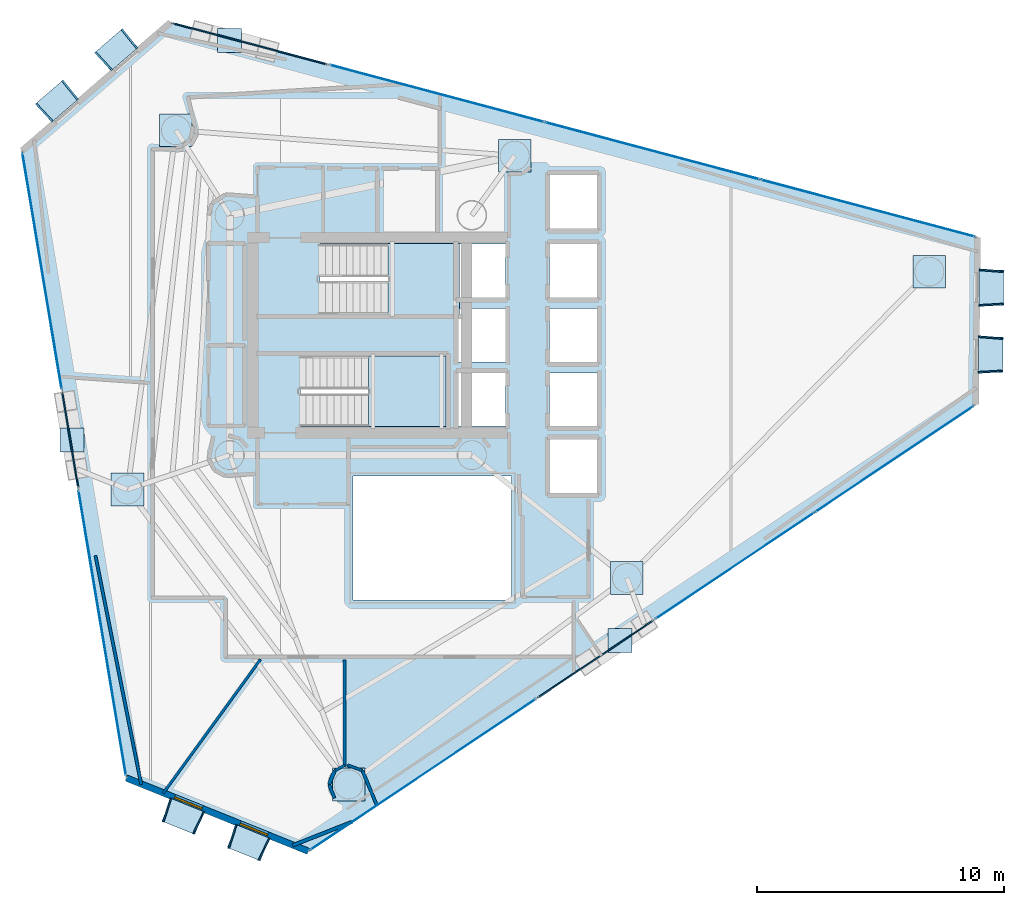
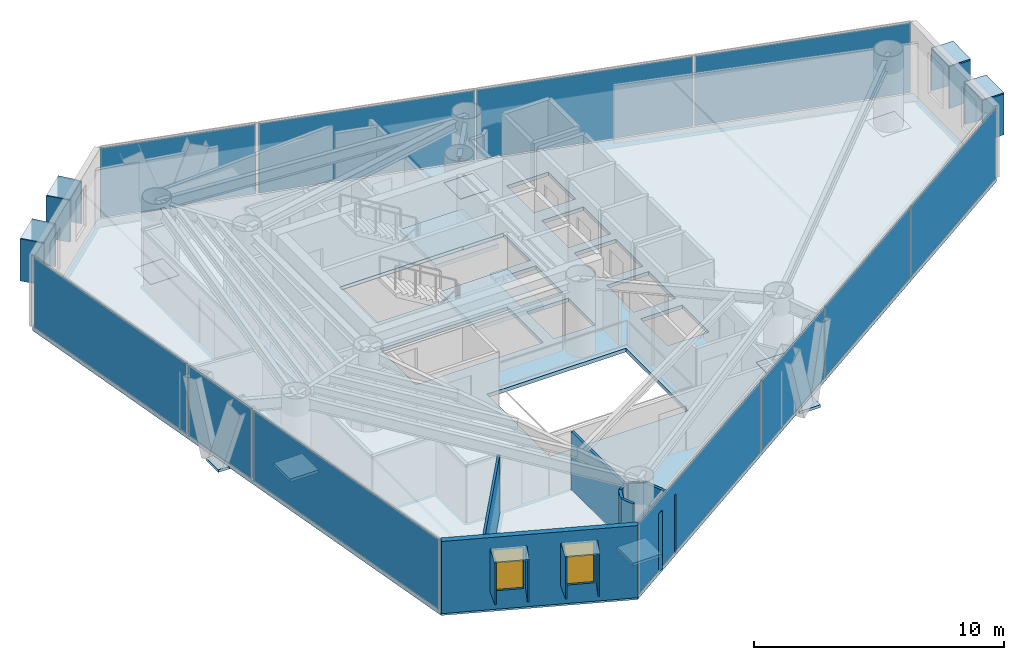
# One storey, part 15 of 21: 38 plates, 10 walls, 3 slabs, 2 windows, 2 openings, 10 elements without a shape of their own.
"""IFC4 building model written with IfcOpenShell, lengths in metres."""

from ifc_helpers import new_model, si_unit, direction, frame, frame_2d, origin, origin_2d, place, context, subcontext, project, spatial, polyline, rectangle, outline, extrude, material, layer, layer_set, type_object, element, fill, aggregate, save


model = new_model("IFC4")

# Units and contexts
model_context = context("Model", 3, precision=1e-05, world=origin(), true_north=direction((0.0, 1.0)))
body_context = subcontext(model_context, "Body", "Model", "MODEL_VIEW")
ifc_project = project(units=[si_unit("LENGTHUNIT", "METRE"), si_unit("AREAUNIT", "SQUARE_METRE"), si_unit("VOLUMEUNIT", "CUBIC_METRE"), si_unit("PLANEANGLEUNIT", "RADIAN"), si_unit("MASSUNIT", "GRAM", prefix="KILO")], contexts=[model_context])

# Site, building, storey
site_placement = place(None, origin())
site = spatial("IfcSite", under=ifc_project, at=site_placement, CompositionType="ELEMENT")
building_placement = place(site_placement, origin())
building = spatial("IfcBuilding", under=site, at=building_placement, Name="Qianvela Tower", CompositionType="ELEMENT")
storey_placement = place(building_placement, frame((0.0, 0.0, 189.199951171875)))
storey = spatial("IfcBuildingStorey", under=building, at=storey_placement, Name="L48", CompositionType="ELEMENT", Elevation=189.199951171875)

# Curtain wall, plate
ifc_material_1 = material(Name="Anodised Architectural Aluminium and Insulated Spandrel Panel", Category="aluminium")
ifc_layer_1 = layer(ifc_material_1, 0.179931640625)
ifc_layer_set_1 = layer_set([ifc_layer_1], Name="Anodised Architectural Aluminium and Insulated Spandrel Panel")
curtain_wall_type_1 = type_object("IfcCurtainWallType", Name="CW-BRACEBAY", PredefinedType="USERDEFINED", material=ifc_layer_set_1)
curtain_wall_1_placement = place(storey_placement, origin())
curtain_wall_1 = element("IfcCurtainWall", 1, at=curtain_wall_1_placement, inside=storey, type_object=curtain_wall_type_1, Name="L48 CW-BRACEBAY Curtain Wall 02B", ObjectType="CURTAIN_WALL_SYSTEM", PredefinedType="USERDEFINED")
ifc_material_2 = material(Name="Insulated Aluminium Spandrel Panel with Mineral-Wool Backpan", Category="aluminium")
ifc_layer_2 = layer(ifc_material_2, 0.06005859375)
ifc_layer_set_2 = layer_set([ifc_layer_2], Name="Insulated Aluminium Spandrel Panel with Mineral-Wool Backpan")
plate_type_1 = type_object("IfcPlateType", Name="CW-BRACEBAY-PNL", PredefinedType="CURTAIN_PANEL", material=ifc_layer_set_2)
plate_1_placement = place(storey_placement, frame((29.427490234375, 40.488037109375, 0.06494140625), z_axis=(0.0, 0.0, 1.0), x_axis=(-0.966318897805, 0.257347601007, 0.0)))
plate_1 = element("IfcPlate", 2, at=plate_1_placement, type_object=plate_type_1, Name="CW-9 panel 1.1", PredefinedType="CURTAIN_PANEL", context=body_context, shape_type="SweptSolid", body=[
    extrude(rectangle(XDim=6.42919921875, YDim=0.06005859375, at=origin_2d()), origin(), (0.0, 0.0, 1.0), 3.389892578125),
])
aggregate(curtain_wall_1, [plate_1])

curtain_wall_2_placement = place(storey_placement, origin())
curtain_wall_2 = element("IfcCurtainWall", 3, at=curtain_wall_2_placement, inside=storey, type_object=curtain_wall_type_1, Name="L48 CW-BRACEBAY Curtain Wall 04B", ObjectType="CURTAIN_WALL_SYSTEM", PredefinedType="USERDEFINED")
plate_2_placement = place(storey_placement, frame((22.153564453125, 24.471435546875, 0.06494140625), z_axis=(0.0, 0.0, 1.0), x_axis=(0.16400962541, -0.986458738505, 0.0)))
plate_2 = element("IfcPlate", 4, at=plate_2_placement, type_object=plate_type_1, Name="CW-9 panel 1.1", PredefinedType="CURTAIN_PANEL", context=body_context, shape_type="SweptSolid", body=[
    extrude(rectangle(XDim=3.909912109375, YDim=0.06005859375, at=origin_2d()), origin(), (0.0, 0.0, 1.0), 3.389892578125),
])
aggregate(curtain_wall_2, [plate_2])

curtain_wall_3_placement = place(storey_placement, origin())
curtain_wall_3 = element("IfcCurtainWall", 5, at=curtain_wall_3_placement, inside=storey, type_object=curtain_wall_type_1, Name="L48 CW-BRACEBAY Curtain Wall 06B", ObjectType="CURTAIN_WALL_SYSTEM", PredefinedType="USERDEFINED")
plate_3_placement = place(storey_placement, frame((43.4091796875, 15.608642578125, 0.06494140625), z_axis=(0.0, 0.0, 1.0), x_axis=(0.831059964108, 0.556182826107, 0.0)))
plate_3 = element("IfcPlate", 6, at=plate_3_placement, type_object=plate_type_1, Name="CW-9 panel 1.1", PredefinedType="CURTAIN_PANEL", context=body_context, shape_type="SweptSolid", body=[
    extrude(rectangle(XDim=5.610107421875, YDim=0.06005859375, at=origin_2d()), origin(), (0.0, 0.0, 1.0), 3.389892578125),
])
aggregate(curtain_wall_3, [plate_3])

# Curtain wall, plates
ifc_material_3 = material(Name="Anodised Architectural Aluminium and Low-E Glass", Category="aluminium")
ifc_layer_3 = layer(ifc_material_3, 0.159912109375)
ifc_layer_set_3 = layer_set([ifc_layer_3], Name="Anodised Architectural Aluminium and Low-E Glass")
curtain_wall_type_2 = type_object("IfcCurtainWallType", Name="CW-COLIV-Z56", PredefinedType="USERDEFINED", material=ifc_layer_set_3)
curtain_wall_4_placement = place(storey_placement, origin())
curtain_wall_4 = element("IfcCurtainWall", 7, at=curtain_wall_4_placement, inside=storey, type_object=curtain_wall_type_2, Name="L48 CW-COLIV-Z56 Curtain Wall 02A", ObjectType="CURTAIN_WALL_SYSTEM", PredefinedType="USERDEFINED")
ifc_material_4 = material(Name="Double-Silver Low-E Insulated Glass", Category="glass")
ifc_layer_4 = layer(ifc_material_4, 0.028076171875)
ifc_layer_set_4 = layer_set([ifc_layer_4], Name="Double-Silver Low-E Insulated Glass")
plate_type_2 = type_object("IfcPlateType", Name="CW-COLIV-Z56-PNL", PredefinedType="CURTAIN_PANEL", material=ifc_layer_set_4)
plate_4_placement = place(storey_placement, frame((54.41162109375, 33.834228515625, 0.06005859375), z_axis=(0.0, 0.0, 1.0), x_axis=(-0.966317907543, 0.25735131933, 0.0)))
plate_4 = element("IfcPlate", 8, at=plate_4_placement, type_object=plate_type_2, Name="CW-5 panel 1.1", PredefinedType="CURTAIN_PANEL", context=body_context, shape_type="SweptSolid", body=[
    extrude(rectangle(XDim=8.939208984375, YDim=0.028076171875, at=origin_2d()), origin(), (0.0, 0.0, 1.0), 3.39990234375),
])
plate_5_placement = place(storey_placement, frame((45.695068359375, 36.155517578125, 0.06005859375), z_axis=(0.0, 0.0, 1.0), x_axis=(-0.966317907543, 0.25735131933, 0.0)))
plate_5 = element("IfcPlate", 9, at=plate_5_placement, type_object=plate_type_2, Name="CW-5 panel 2.1", PredefinedType="CURTAIN_PANEL", context=body_context, shape_type="SweptSolid", body=[
    extrude(rectangle(XDim=8.9716796875, YDim=0.028076171875, at=origin_2d()), origin(), (0.0, 0.0, 1.0), 3.39990234375),
])
plate_6_placement = place(storey_placement, frame((36.978515625, 38.47705078125, 0.06005859375), z_axis=(0.0, 0.0, 1.0), x_axis=(-0.966317907543, 0.25735131933, 0.0)))
plate_6 = element("IfcPlate", 10, at=plate_6_placement, type_object=plate_type_2, Name="CW-5 panel 3.1", PredefinedType="CURTAIN_PANEL", context=body_context, shape_type="SweptSolid", body=[
    extrude(rectangle(XDim=8.939208984375, YDim=0.028076171875, at=origin_2d()), origin(), (0.0, 0.0, 1.0), 3.39990234375),
])
aggregate(curtain_wall_4, [plate_4, plate_5, plate_6])

# Curtain wall, plate
curtain_wall_5_placement = place(storey_placement, origin())
curtain_wall_5 = element("IfcCurtainWall", 11, at=curtain_wall_5_placement, inside=storey, type_object=curtain_wall_type_2, Name="L48 CW-COLIV-Z56 Curtain Wall 04A", ObjectType="CURTAIN_WALL_SYSTEM", PredefinedType="USERDEFINED")
plate_7_placement = place(storey_placement, frame((21.020263671875, 31.2880859375, 0.06005859375), z_axis=(0.0, 0.0, 1.0), x_axis=(0.164017613898, -0.986457410298, 0.0)))
plate_7 = element("IfcPlate", 12, at=plate_7_placement, type_object=plate_type_2, Name="CW-5 panel 1.1", PredefinedType="CURTAIN_PANEL", context=body_context, shape_type="SweptSolid", body=[
    extrude(rectangle(XDim=9.650146484375, YDim=0.028076171875, at=origin_2d()), origin(), (0.0, 0.0, 1.0), 3.39990234375),
])
aggregate(curtain_wall_5, [plate_7])

curtain_wall_6_placement = place(storey_placement, origin())
curtain_wall_6 = element("IfcCurtainWall", 13, at=curtain_wall_6_placement, inside=storey, type_object=curtain_wall_type_2, Name="L48 CW-COLIV-Z56 Curtain Wall 04C", ObjectType="CURTAIN_WALL_SYSTEM", PredefinedType="USERDEFINED")
plate_8_placement = place(storey_placement, frame((23.452392578125, 16.659423828125, 0.06005859375), z_axis=(0.0, 0.0, 1.0), x_axis=(0.164011387599, -0.98645844552, 0.0)))
plate_8 = element("IfcPlate", 14, at=plate_8_placement, type_object=plate_type_2, Name="CW-5 panel 1.1", PredefinedType="CURTAIN_PANEL", context=body_context, shape_type="SweptSolid", body=[
    extrude(rectangle(XDim=11.66845703125, YDim=0.028076171875, at=origin_2d()), origin(), (0.0, 0.0, 1.0), 3.39990234375),
])
aggregate(curtain_wall_6, [plate_8])

curtain_wall_7_placement = place(storey_placement, origin())
curtain_wall_7 = element("IfcCurtainWall", 15, at=curtain_wall_7_placement, inside=storey, type_object=curtain_wall_type_2, Name="L48 CW-COLIV-Z56 Curtain Wall 06A", ObjectType="CURTAIN_WALL_SYSTEM", PredefinedType="USERDEFINED")
plate_9_placement = place(storey_placement, frame((36.42431640625, 10.933837890625, 0.06005859375), z_axis=(0.0, 0.0, 1.0), x_axis=(0.831049706482, 0.556198152961, 0.0)))
plate_9 = element("IfcPlate", 16, at=plate_9_placement, type_object=plate_type_2, Name="CW-5 panel 1.1", PredefinedType="CURTAIN_PANEL", context=body_context, shape_type="SweptSolid", body=[
    extrude(rectangle(XDim=10.93994140625, YDim=0.028076171875, at=origin_2d()), origin(), (0.0, 0.0, 1.0), 3.39990234375),
])
aggregate(curtain_wall_7, [plate_9])

# Curtain wall, plates
curtain_wall_8_placement = place(storey_placement, origin())
curtain_wall_8 = element("IfcCurtainWall", 17, at=curtain_wall_8_placement, inside=storey, type_object=curtain_wall_type_2, Name="L48 CW-COLIV-Z56 Curtain Wall 06C", ObjectType="CURTAIN_WALL_SYSTEM", PredefinedType="USERDEFINED")
plate_10_placement = place(storey_placement, frame((49.042236328125, 19.37841796875, 0.06005859375), z_axis=(0.0, 0.0, 1.0), x_axis=(0.831051772744, 0.556195065619, 0.0)))
plate_10 = element("IfcPlate", 18, at=plate_10_placement, type_object=plate_type_2, Name="CW-5 panel 1.1", PredefinedType="CURTAIN_PANEL", context=body_context, shape_type="SweptSolid", body=[
    extrude(rectangle(XDim=7.68603515625, YDim=0.028076171875, at=origin_2d()), origin(), (0.0, 0.0, 1.0), 3.39990234375),
])
plate_11_placement = place(storey_placement, frame((55.483642578125, 23.689453125, 0.06005859375), z_axis=(0.0, 0.0, 1.0), x_axis=(0.831051772744, 0.556195065619, 0.0)))
plate_11 = element("IfcPlate", 19, at=plate_11_placement, type_object=plate_type_2, Name="CW-5 panel 2.1", PredefinedType="CURTAIN_PANEL", context=body_context, shape_type="SweptSolid", body=[
    extrude(rectangle(XDim=7.68603515625, YDim=0.028076171875, at=origin_2d()), origin(), (0.0, 0.0, 1.0), 3.39990234375),
])
aggregate(curtain_wall_8, [plate_10, plate_11])

# Plates
ifc_material_5 = material(Name="Steel Q420GJC", Category="steel")
ifc_layer_5 = layer(ifc_material_5, 0.1298828125)
ifc_layer_set_5 = layer_set([ifc_layer_5], Name="Steel Q420GJC")
plate_type_3 = type_object("IfcPlateType", Name="PT-ENDCAP-130", PredefinedType="USERDEFINED", material=ifc_layer_set_5)
for number, where, z_axis, x_axis, name in (
    (20, (28.59619140625, 40.626708984375, -0.261474609375), (0.0, 0.0, 1.0), (1.0, 0.0, 0.0), "L48 Hollow Section End Cap Plate A"),
    (21, (22.2373046875, 24.455078125, -0.261474609375), (0.0, 0.0, 1.0), (1.0, 0.0, 0.0), "L48 Hollow Section End Cap Plate A"),
    (22, (44.38330078125, 16.356689453125, -0.261474609375), (0.0, 0.0, 1.0), (1.0, 0.0, 0.0), "L48 Hollow Section End Cap Plate A"),
):
    element("IfcPlate", number, at=place(storey_placement, frame(where, z_axis=z_axis, x_axis=x_axis)), inside=storey, type_object=plate_type_3, Name=name, ObjectType="END_CAP", PredefinedType="USERDEFINED", context=body_context, shape_type="SweptSolid", body=[
        extrude(rectangle(XDim=0.969970703125, YDim=0.969970703125, at=origin_2d()), origin(), (0.0, 0.0, 1.0), 0.1298828125),
    ])
ifc_material_6 = material(Name="Steel Q420GJC", Category="steel")
ifc_layer_6 = layer(ifc_material_6, 0.139892578125)
ifc_layer_set_6 = layer_set([ifc_layer_6], Name="Steel Q420GJC")
plate_type_4 = type_object("IfcPlateType", Name="PT-GUSSET-NODE-140", PredefinedType="USERDEFINED", material=ifc_layer_set_6)
for number, where, z_axis, x_axis, name in (
    (23, (56.89697265625, 31.27001953125, -0.134765625), (0.0, 0.0, 1.0), (1.0, 0.0, 0.0), "L48 Node Gusset Plate BOT"),
    (24, (40.131103515625, 35.9580078125, -0.134765625), (0.0, 0.0, 1.0), (1.0, 0.0, 0.0), "L48 Node Gusset Plate BOT"),
    (25, (26.430908203125, 36.991943359375, -0.134765625), (0.0, 0.0, 1.0), (1.0, 0.0, 0.0), "L48 Node Gusset Plate BOT"),
    (26, (24.471923828125, 22.4599609375, -0.134765625), (0.0, 0.0, 1.0), (1.0, 0.0, 0.0), "L48 Node Gusset Plate BOT"),
    (27, (33.4130859375, 10.531005859375, -0.134765625), (0.0, 0.0, 1.0), (1.0, 0.0, 0.0), "L48 Node Gusset Plate BOT"),
    (28, (44.6669921875, 18.883056640625, -0.134765625), (0.0, 0.0, 1.0), (1.0, 0.0, 0.0), "L48 Node Gusset Plate BOT"),
):
    element("IfcPlate", number, at=place(storey_placement, frame(where, z_axis=z_axis, x_axis=x_axis)), inside=storey, type_object=plate_type_4, Name=name, ObjectType="GUSSET_PLATE", PredefinedType="USERDEFINED", context=body_context, shape_type="SweptSolid", body=[
        extrude(rectangle(XDim=1.320068359375, YDim=1.320068359375, at=origin_2d()), origin(), (0.0, 0.0, 1.0), 0.139892578125),
    ])

# Slab
ifc_material_7 = material(Name="Concrete C40", Category="concrete")
ifc_layer_7 = layer(ifc_material_7, 0.179931640625)
ifc_layer_set_7 = layer_set([ifc_layer_7], Name="Concrete C40")
slab_type_1 = type_object("IfcSlabType", Name="SL-FLOOR-180", PredefinedType="FLOOR", material=ifc_layer_set_7)
slab_1_placement = place(storey_placement, frame((0.0, 0.0, -0.179931640625)))
element("IfcSlab", 29, at=slab_1_placement, inside=storey, type_object=slab_type_1, Name="L48 Composite Structural Floor Slab", PredefinedType="FLOOR", context=body_context, shape_type="SweptSolid", body=[
    extrude(outline(polyline([(58.77294921875, 25.890869140625), (58.841796875, 32.654296875), (26.2099609375, 41.344970703125), (20.2099609375, 36.1611328125), (24.42822265625, 10.790771484375), (31.78271484375, 7.827392578125), (58.77294921875, 25.890869140625)]), holes=[polyline([(40.0, 23.0), (33.60009765625, 23.0), (33.60009765625, 18.0), (40.0, 18.0), (40.0, 23.0)]), polyline([(39.760009765625, 27.179931640625), (37.840087890625, 27.179931640625), (37.840087890625, 25.02001953125), (39.760009765625, 25.02001953125), (39.760009765625, 27.179931640625)]), polyline([(37.35009765625, 27.860107421875), (31.469970703125, 27.860107421875), (31.469970703125, 25.0), (37.35009765625, 25.0), (37.35009765625, 27.860107421875)]), polyline([(37.840087890625, 27.6201171875), (39.760009765625, 27.6201171875), (39.760009765625, 29.780029296875), (37.89990234375, 29.780029296875), (37.89990234375, 30.219970703125), (39.760009765625, 30.219970703125), (39.760009765625, 32.3798828125), (37.89990234375, 32.3798828125), (37.89990234375, 32.39990234375), (32.25, 32.39990234375), (32.25, 29.5400390625), (37.840087890625, 29.5400390625), (37.840087890625, 27.6201171875)]), polyline([(43.4599609375, 22.320068359375), (43.4599609375, 24.47998046875), (41.5400390625, 24.47998046875), (41.5400390625, 22.320068359375), (43.4599609375, 22.320068359375)]), polyline([(43.4599609375, 25.02001953125), (43.4599609375, 27.179931640625), (41.5400390625, 27.179931640625), (41.5400390625, 25.02001953125), (43.4599609375, 25.02001953125)]), polyline([(43.4599609375, 29.780029296875), (41.5400390625, 29.780029296875), (41.5400390625, 27.6201171875), (43.4599609375, 27.6201171875), (43.4599609375, 29.780029296875)]), polyline([(43.4599609375, 30.219970703125), (43.4599609375, 32.3798828125), (41.5400390625, 32.3798828125), (41.5400390625, 30.219970703125), (43.4599609375, 30.219970703125)]), polyline([(43.4599609375, 33.02001953125), (43.4599609375, 35.179931640625), (41.5400390625, 35.179931640625), (41.5400390625, 33.02001953125), (43.4599609375, 33.02001953125)])]), origin(), (0.0, 0.0, 1.0), 0.179931640625),
])

# Stair, slab
ifc_material_8 = material(Name="Concrete C40", Category="concrete")
stair_type = type_object("IfcStairType", Name="ST-DOGLEG-1350-R168-N22", PredefinedType="HALF_TURN_STAIR", material=ifc_material_8)
stair_1_placement = place(storey_placement, origin())
stair_1 = element("IfcStair", 30, at=stair_1_placement, inside=storey, type_object=stair_type, Name="L48 Smoke-Proof Core Stair ST-1", PredefinedType="HALF_TURN_STAIR")
ifc_material_9 = material(Name="Concrete C40", Category="concrete")
ifc_layer_8 = layer(ifc_material_9, 0.199951171875)
ifc_layer_set_8 = layer_set([ifc_layer_8], Name="Concrete C40")
slab_type_2 = type_object("IfcSlabType", Name="SL-STAIR-LANDING-200", PredefinedType="LANDING", material=ifc_layer_set_8)
slab_2_placement = place(storey_placement, frame((0.0, 0.0, 1.650146484375)))
slab_2 = element("IfcSlab", 31, at=slab_2_placement, type_object=slab_type_2, Name="ST-1 landing 1", PredefinedType="LANDING", context=body_context, shape_type="SweptSolid", body=[
    extrude(outline(polyline([(35.0, 29.5400390625), (37.89990234375, 29.5400390625), (37.89990234375, 32.39990234375), (35.0, 32.39990234375), (35.0, 29.5400390625)])), origin(), (0.0, 0.0, 1.0), 0.199951171875),
])
aggregate(stair_1, [slab_2])

stair_2_placement = place(storey_placement, origin())
stair_2 = element("IfcStair", 32, at=stair_2_placement, inside=storey, type_object=stair_type, Name="L48 Smoke-Proof Core Stair ST-2", PredefinedType="HALF_TURN_STAIR")
slab_3_placement = place(storey_placement, frame((0.0, 0.0, 1.650146484375)))
slab_3 = element("IfcSlab", 33, at=slab_3_placement, type_object=slab_type_2, Name="ST-2 landing 1", PredefinedType="LANDING", context=body_context, shape_type="SweptSolid", body=[
    extrude(outline(polyline([(34.219970703125, 25.0), (37.35009765625, 25.0), (37.35009765625, 27.860107421875), (34.219970703125, 27.860107421875), (34.219970703125, 25.0)])), origin(), (0.0, 0.0, 1.0), 0.199951171875),
])
aggregate(stair_2, [slab_3])

# Plates
ifc_material_10 = material(Name="Vitrified Architectural Terracotta Panel", Category="masonry")
ifc_layer_9 = layer(ifc_material_10, 0.06005859375)
ifc_layer_set_9 = layer_set([ifc_layer_9], Name="Vitrified Architectural Terracotta Panel")
plate_type_5 = type_object("IfcPlateType", Name="TERRACOTTA-SUNSHADE-HOOD-FOLD-A", PredefinedType="USERDEFINED", material=ifc_layer_set_9)
for number, where, z_axis, x_axis, name in (
    (34, (59.378662109375, 27.9140625, 2.909912109375), (0.0, 0.0, 1.0), (0.010171603478, 0.999948267903, 0.0), "L48 Terracotta Sunshade Hood FOLD-A"),
    (35, (59.406005859375, 30.619384765625, 2.909912109375), (0.0, 0.0, 1.0), (0.010171603478, 0.999948267903, 0.0), "L48 Terracotta Sunshade Hood FOLD-A"),
    (36, (26.712890625, 9.239501953125, 2.909912109375), (0.0, 0.0, 1.0), (0.927535848831, -0.373734195831, 0.0), "L48 Terracotta Sunshade Hood FOLD-A"),
    (37, (29.35791015625, 8.173828125, 2.909912109375), (0.0, 0.0, 1.0), (0.927535848831, -0.373734195831, 0.0), "L48 Terracotta Sunshade Hood FOLD-A"),
):
    element("IfcPlate", number, at=place(storey_placement, frame(where, z_axis=z_axis, x_axis=x_axis)), inside=storey, type_object=plate_type_5, Name=name, ObjectType="SUNSHADE", PredefinedType="USERDEFINED", context=body_context, shape_type="SweptSolid", body=[
        extrude(rectangle(XDim=1.43994140625, YDim=0.989990234375, at=origin_2d()), origin(), (0.0, 0.0, 1.0), 0.06005859375),
    ])
ifc_material_11 = material(Name="Vitrified Architectural Terracotta Panel", Category="masonry")
ifc_layer_10 = layer(ifc_material_11, 0.070068359375)
ifc_layer_set_10 = layer_set([ifc_layer_10], Name="Vitrified Architectural Terracotta Panel")
plate_type_6 = type_object("IfcPlateType", Name="TERRACOTTA-SUNSHADE-HOOD-FOLD-C", PredefinedType="USERDEFINED", material=ifc_layer_set_10)
for number, where, z_axis, x_axis, name in (
    (38, (24.027587890625, 40.232421875, 2.909912109375), (0.0, 0.0, 1.0), (-0.756699605889, -0.653762729472, 0.0), "L48 Terracotta Sunshade Hood FOLD-C"),
    (39, (21.62744140625, 38.158935546875, 2.909912109375), (0.0, 0.0, 1.0), (-0.756699605889, -0.653762729472, 0.0), "L48 Terracotta Sunshade Hood FOLD-C"),
):
    element("IfcPlate", number, at=place(storey_placement, frame(where, z_axis=z_axis, x_axis=x_axis)), inside=storey, type_object=plate_type_6, Name=name, ObjectType="SUNSHADE", PredefinedType="USERDEFINED", context=body_context, shape_type="SweptSolid", body=[
        extrude(rectangle(XDim=1.43994140625, YDim=0.989990234375, at=origin_2d()), origin(), (0.0, 0.0, 1.0), 0.06005859375),
    ])
ifc_material_12 = material(Name="Vitrified Architectural Terracotta Side Fin Panel", Category="masonry")
ifc_layer_11 = layer(ifc_material_12, 0.06494140625)
ifc_layer_set_11 = layer_set([ifc_layer_11], Name="Vitrified Architectural Terracotta Side Fin Panel")
plate_type_7 = type_object("IfcPlateType", Name="TERRACOTTA-SUNSHADE-STRUT-FOLD-A", PredefinedType="USERDEFINED", material=ifc_layer_set_11)
for number, where, z_axis, x_axis, name in (
    (40, (59.37158203125, 27.22412109375, 0.89990234375), (0.0, 0.0, 1.0), (-0.059606039133, 0.998221979371, 0.0), "L48 Terracotta Sunshade Side Fin HL FOLD-A"),
    (41, (59.385498046875, 28.60400390625, 0.89990234375), (0.0, 0.0, 1.0), (0.079899691058, 0.996802908989, 0.0), "L48 Terracotta Sunshade Side Fin HR FOLD-A"),
    (42, (59.399169921875, 29.929443359375, 0.89990234375), (0.0, 0.0, 1.0), (-0.059606039133, 0.998221979371, 0.0), "L48 Terracotta Sunshade Side Fin HL FOLD-A"),
    (43, (59.4130859375, 31.309326171875, 0.89990234375), (0.0, 0.0, 1.0), (0.079899691058, 0.996802908989, 0.0), "L48 Terracotta Sunshade Side Fin HR FOLD-A"),
    (44, (26.07275390625, 9.49755859375, 0.89990234375), (0.0, 0.0, 1.0), (0.95134679774, -0.308122168028, 0.0), "L48 Terracotta Sunshade Side Fin HL FOLD-A"),
    (45, (27.352783203125, 8.981689453125, 0.89990234375), (0.0, 0.0, 1.0), (0.899206038502, -0.437525428199, 0.0), "L48 Terracotta Sunshade Side Fin HR FOLD-A"),
    (46, (28.7177734375, 8.431640625, 0.89990234375), (0.0, 0.0, 1.0), (0.95134679774, -0.308122168028, 0.0), "L48 Terracotta Sunshade Side Fin HL FOLD-A"),
    (47, (29.997802734375, 7.916015625, 0.89990234375), (0.0, 0.0, 1.0), (0.899206038502, -0.437525428199, 0.0), "L48 Terracotta Sunshade Side Fin HR FOLD-A"),
):
    element("IfcPlate", number, at=place(storey_placement, frame(where, z_axis=z_axis, x_axis=x_axis)), inside=storey, type_object=plate_type_7, Name=name, ObjectType="SUNSHADE", PredefinedType="USERDEFINED", context=body_context, shape_type="SweptSolid", body=[
        extrude(rectangle(XDim=0.06494140625, YDim=1.010009765625, at=origin_2d()), origin(), (0.0, 0.0, 1.0), 2.06005859375),
    ])
ifc_material_13 = material(Name="Vitrified Architectural Terracotta Side Fin Panel", Category="masonry")
ifc_layer_12 = layer(ifc_material_13, 0.074951171875)
ifc_layer_set_12 = layer_set([ifc_layer_12], Name="Vitrified Architectural Terracotta Side Fin Panel")
plate_type_8 = type_object("IfcPlateType", Name="TERRACOTTA-SUNSHADE-STRUT-FOLD-C", PredefinedType="USERDEFINED", material=ifc_layer_set_12)
for number, where, z_axis, x_axis, name in (
    (48, (24.5498046875, 40.68359375, 0.89990234375), (0.0, 0.0, 1.0), (-0.779054635156, -0.626956039481, 0.0), "L48 Terracotta Sunshade Side Fin HL FOLD-C"),
    (49, (23.50537109375, 39.78125, 0.89990234375), (0.0, 0.0, 1.0), (-0.733422654713, -0.679772910282, 0.0), "L48 Terracotta Sunshade Side Fin HR FOLD-C"),
    (50, (22.149658203125, 38.610107421875, 0.89990234375), (0.0, 0.0, 1.0), (-0.779054635156, -0.626956039481, 0.0), "L48 Terracotta Sunshade Side Fin HL FOLD-C"),
    (51, (21.10546875, 37.707763671875, 0.89990234375), (0.0, 0.0, 1.0), (-0.733422654713, -0.679772910282, 0.0), "L48 Terracotta Sunshade Side Fin HR FOLD-C"),
):
    element("IfcPlate", number, at=place(storey_placement, frame(where, z_axis=z_axis, x_axis=x_axis)), inside=storey, type_object=plate_type_8, Name=name, ObjectType="SUNSHADE", PredefinedType="USERDEFINED", context=body_context, shape_type="SweptSolid", body=[
        extrude(rectangle(XDim=0.074951171875, YDim=1.010009765625, at=origin_2d()), origin(), (0.0, 0.0, 1.0), 2.06005859375),
    ])

# Wall, openings, windows
ifc_material_14 = material(Name="Terracotta Cladding on Concrete C40", Category="masonry")
ifc_layer_13 = layer(ifc_material_14, 0.260009765625)
ifc_layer_set_13 = layer_set([ifc_layer_13], Name="Terracotta Cladding on Concrete C40")
wall_type_1 = type_object("IfcWallType", Name="TERRACOTTA-WALL-260", PredefinedType="SOLIDWALL", material=ifc_layer_set_13)
wall_1_placement = place(storey_placement, frame((24.42822265625, 10.790771484375, 0.0), z_axis=(0.0, 0.0, 1.0), x_axis=(0.927535144365, -0.373735944174, 0.0)))
wall_1 = element("IfcWall", 52, at=wall_1_placement, inside=storey, type_object=wall_type_1, Name="L48 Terracotta Chamfer Facet Wall 5", PredefinedType="SOLIDWALL", context=body_context, shape_type="SweptSolid", body=[
    extrude(rectangle(XDim=7.928955078125, YDim=0.260009765625, at=frame_2d((3.96435546875, 0.0))), origin(), (0.0, 0.0, 1.0), 3.52001953125),
])
opening_1_placement = place(wall_1_placement, frame((2.098876953125, 0.0, 0.89990234375)))
opening_1 = element("IfcOpeningElement", 53, at=opening_1_placement, cuts=wall_1, Name="Opening W-03", PredefinedType="OPENING", context=body_context, shape_type="SweptSolid", body=[
    extrude(rectangle(XDim=1.199951171875, YDim=2.0, at=frame_2d((0.60009765625, 1.0))), frame((0.0, 0.139892578125, 0.0), z_axis=(0.0, -1.0, 0.0), x_axis=(1.0, 0.0, 0.0)), (0.0, 0.0, 1.0), 0.280029296875),
])
opening_2_placement = place(wall_1_placement, frame((4.950439453125, 0.0, 0.89990234375)))
opening_2 = element("IfcOpeningElement", 54, at=opening_2_placement, cuts=wall_1, Name="Opening W-03", PredefinedType="OPENING", context=body_context, shape_type="SweptSolid", body=[
    extrude(rectangle(XDim=1.199951171875, YDim=2.0, at=frame_2d((0.60009765625, 1.0))), frame((0.0, 0.139892578125, 0.0), z_axis=(0.0, -1.0, 0.0), x_axis=(1.0, 0.0, 0.0)), (0.0, 0.0, 1.0), 0.280029296875),
])
ifc_material_15 = material(Name="Thermally Broken Aluminium and Low-E Glass", Category="aluminium")
window_type = type_object("IfcWindowType", Name="WIN-TC-1200x2000", PartitioningType="SINGLE_PANEL", PredefinedType="WINDOW", material=ifc_material_15)
window_1_placement = place(opening_1_placement, origin())
window_1 = element("IfcWindow", 55, at=window_1_placement, inside=storey, type_object=window_type, Name="L48 Chamfer Facet Window 5.1", OverallHeight=2.0, OverallWidth=1.199951171875, PartitioningType="SINGLE_PANEL", PredefinedType="WINDOW", context=body_context, shape_type="SweptSolid", body=[
    extrude(rectangle(XDim=1.199951171875, YDim=2.0, at=frame_2d((0.60009765625, 1.0))), frame((0.0, 0.030029296875, 0.0), z_axis=(0.0, -1.0, 0.0), x_axis=(1.0, 0.0, 0.0)), (0.0, 0.0, 1.0), 0.06005859375),
])
fill(opening_1, window_1)
window_2_placement = place(opening_2_placement, origin())
window_2 = element("IfcWindow", 56, at=window_2_placement, inside=storey, type_object=window_type, Name="L48 Chamfer Facet Window 5.2", OverallHeight=2.0, OverallWidth=1.199951171875, PartitioningType="SINGLE_PANEL", PredefinedType="WINDOW", context=body_context, shape_type="SweptSolid", body=[
    extrude(rectangle(XDim=1.199951171875, YDim=2.0, at=frame_2d((0.60009765625, 1.0))), frame((0.0, 0.030029296875, 0.0), z_axis=(0.0, -1.0, 0.0), x_axis=(1.0, 0.0, 0.0)), (0.0, 0.0, 1.0), 0.06005859375),
])
fill(opening_2, window_2)

# Walls
ifc_material_16 = material(Name="Lightweight Gypsum Room Partition")
ifc_layer_14 = layer(ifc_material_16, 0.10498046875)
ifc_layer_set_14 = layer_set([ifc_layer_14], Name="Lightweight Gypsum Room Partition")
wall_type_2 = type_object("IfcWallType", Name="WT-PART-105", PredefinedType="PARTITIONING", material=ifc_layer_set_14)
wall_2_placement = place(storey_placement, frame((29.845947265625, 15.589111328125, 0.0), z_axis=(0.0, 0.0, 1.0), x_axis=(-0.587807387447, -0.809000911781, 0.0)))
element("IfcWall", 57, at=wall_2_placement, inside=storey, type_object=wall_type_2, Name="L48 Partition 85", PredefinedType="PARTITIONING", context=body_context, shape_type="SweptSolid", body=[
    extrude(rectangle(XDim=6.6953125, YDim=0.10498046875, at=frame_2d((3.34765625, 0.0))), origin(), (0.0, 0.0, 1.0), 2.840087890625),
])
wall_3_placement = place(storey_placement, frame((33.2587890625, 11.3046875, 0.0), z_axis=(0.0, 0.0, 1.0), x_axis=(-0.885224512644, -0.465164016466, 0.0)))
element("IfcWall", 58, at=wall_3_placement, inside=storey, type_object=wall_type_2, Name="L48 Partition 88", PredefinedType="PARTITIONING", context=body_context, shape_type="SweptSolid", body=[
    extrude(rectangle(XDim=0.44921875, YDim=0.10498046875, at=frame_2d((0.224609375, 0.0))), origin(), (0.0, 0.0, 1.0), 2.840087890625),
])
wall_4_placement = place(storey_placement, frame((33.961181640625, 11.097412109375, 0.0), z_axis=(0.0, 0.0, 1.0), x_axis=(-0.939001149959, 0.343914001425, 0.0)))
element("IfcWall", 59, at=wall_4_placement, inside=storey, type_object=wall_type_2, Name="L48 Partition 100", PredefinedType="PARTITIONING", context=body_context, shape_type="SweptSolid", body=[
    extrude(rectangle(XDim=0.6318359375, YDim=0.10498046875, at=frame_2d((0.31591796875, 0.0))), origin(), (0.0, 0.0, 1.0), 2.840087890625),
])
ifc_material_17 = material(Name="Insulated Gypsum Stud Partition")
ifc_layer_15 = layer(ifc_material_17, 0.1201171875)
ifc_layer_set_15 = layer_set([ifc_layer_15], Name="Insulated Gypsum Stud Partition")
wall_type_3 = type_object("IfcWallType", Name="WT-PART-120", PredefinedType="PARTITIONING", material=ifc_layer_set_15)
wall_5_placement = place(storey_placement, frame((25.030029296875, 10.52978515625, 0.0), z_axis=(0.0, 0.0, 1.0), x_axis=(-0.196384572999, 0.980526949904, 0.0)))
element("IfcWall", 60, at=wall_5_placement, inside=storey, type_object=wall_type_3, Name="L48 Partition 87 seg 1", PredefinedType="PARTITIONING", context=body_context, shape_type="SweptSolid", body=[
    extrude(rectangle(XDim=9.4443359375, YDim=0.1201171875, at=frame_2d((4.72216796875, 0.0))), origin(), (0.0, 0.0, 1.0), 2.840087890625),
])
wall_6_placement = place(storey_placement, frame((32.62451171875, 10.51904296875, 0.0), z_axis=(0.0, 0.0, 1.0), x_axis=(0.382438308323, -0.923981028121, 0.0)))
element("IfcWall", 61, at=wall_6_placement, inside=storey, type_object=wall_type_3, Name="L48 Partition 90", PredefinedType="PARTITIONING", context=body_context, shape_type="SweptSolid", body=[
    extrude(rectangle(XDim=0.58154296875, YDim=0.1201171875, at=frame_2d((0.290771484375, 0.0))), origin(), (0.0, 0.0, 1.0), 2.840087890625),
])
wall_7_placement = place(storey_placement, frame((33.2421875, 15.5732421875, 0.0), z_axis=(0.0, 0.0, 1.0), x_axis=(0.0, -1.0, 0.0)))
element("IfcWall", 62, at=wall_7_placement, inside=storey, type_object=wall_type_3, Name="L48 Partition 96", PredefinedType="PARTITIONING", context=body_context, shape_type="SweptSolid", body=[
    extrude(rectangle(XDim=4.296142578125, YDim=0.1201171875, at=frame_2d((2.14794921875, 0.0))), origin(), (0.0, 0.0, 1.0), 2.840087890625),
])
wall_8_placement = place(storey_placement, frame((34.56494140625, 9.665771484375, 0.0), z_axis=(0.0, 0.0, 1.0), x_axis=(-0.382689777405, 0.923876904284, 0.0)))
element("IfcWall", 63, at=wall_8_placement, inside=storey, type_object=wall_type_3, Name="L48 Partition 99", PredefinedType="PARTITIONING", context=body_context, shape_type="SweptSolid", body=[
    extrude(rectangle(XDim=1.531005859375, YDim=0.1201171875, at=frame_2d((0.765625, 0.0))), origin(), (0.0, 0.0, 1.0), 2.840087890625),
])
ifc_material_18 = material(Name="Acoustic Double Gypsum Stud Partition")
ifc_layer_16 = layer(ifc_material_18, 0.139892578125)
ifc_layer_set_16 = layer_set([ifc_layer_16], Name="Acoustic Double Gypsum Stud Partition")
wall_type_4 = type_object("IfcWallType", Name="WT-ROOM-140", PredefinedType="PARTITIONING", material=ifc_layer_set_16)
wall_9_placement = place(storey_placement, frame((32.846923828125, 11.080322265625, 0.0), z_axis=(0.0, 0.0, 1.0), x_axis=(-0.382438308323, -0.923981028121, 0.0)))
element("IfcWall", 64, at=wall_9_placement, inside=storey, type_object=wall_type_4, Name="L48 Partition 89", PredefinedType="PARTITIONING", context=body_context, shape_type="SweptSolid", body=[
    extrude(rectangle(XDim=0.58154296875, YDim=0.139892578125, at=frame_2d((0.290771484375, 0.0))), origin(), (0.0, 0.0, 1.0), 2.840087890625),
])
wall_10_placement = place(storey_placement, frame((33.5625, 9.0185546875, 0.0), z_axis=(0.0, 0.0, 1.0), x_axis=(-0.930166208408, -0.367138699588, 0.0)))
element("IfcWall", 65, at=wall_10_placement, inside=storey, type_object=wall_type_4, Name="L48 Partition 92", PredefinedType="PARTITIONING", context=body_context, shape_type="SweptSolid", body=[
    extrude(rectangle(XDim=2.59619140625, YDim=0.139892578125, at=frame_2d((1.298095703125, 0.0))), origin(), (0.0, 0.0, 1.0), 2.840087890625),
])

save(model, "model.ifc")
